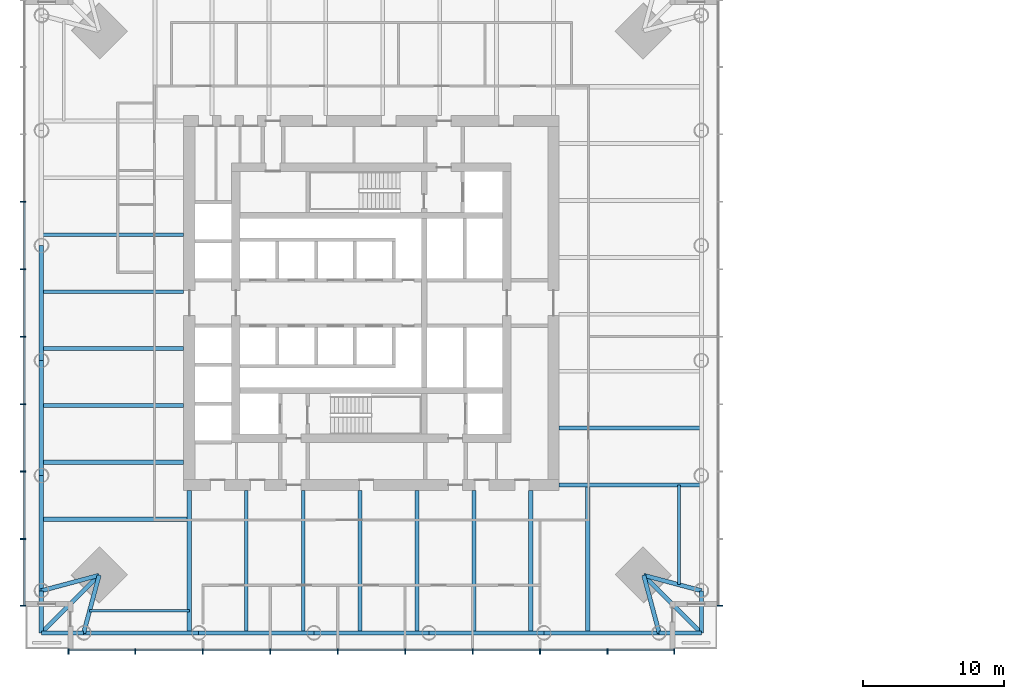
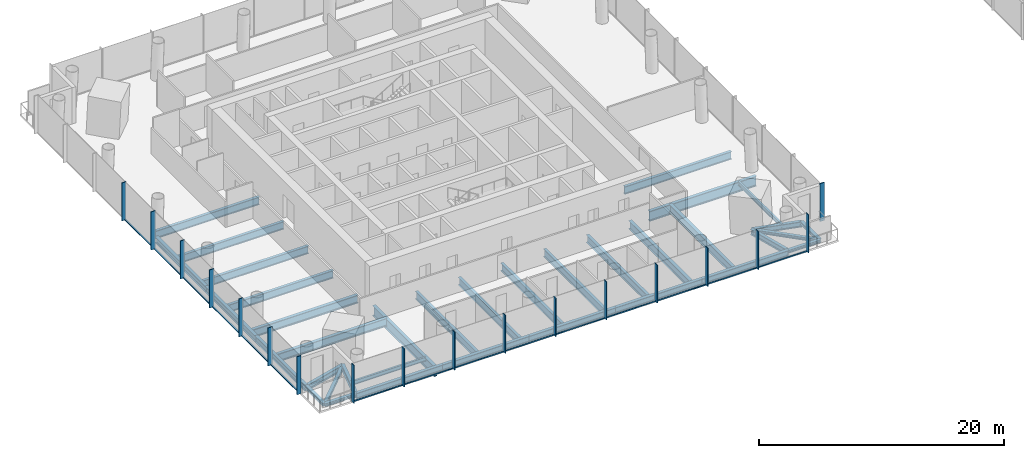
# One storey, part 2 of 22: 36 beams, 33 members, 3 elements without a shape of their own.
"""IFC4 building model written with IfcOpenShell, lengths in metres."""

import ifcopenshell
import ifcopenshell.guid

model = None  # the IFC model being written
_history = None  # IfcOwnerHistory: only IFC2X3 demands one
_inside = {}  # id of a spatial element -> (the spatial element, [elements in it])
_under = {}  # id of a project, library or spatial element -> (it, [spatial elements below it])
_declared = {}  # id of a project -> (the project, [libraries it declares])
_typed = {}  # id of a type object -> (the type object, [elements of that type])
_made_of = {}  # id of a material, layer set ... -> (it, [elements and type objects made of it])


def new_model(schema):
    """Start an empty IFC model of exactly this schema.

    Asked for "IFC4X3", IfcOpenShell would pick the latest addendum, in which some entities
    have other attributes; the version numbers below select the first issue.
    IFC2X3 requires an IfcOwnerHistory on every rooted entity: one is made here for all.
    """
    global model, _history
    if schema == "IFC4X3":
        model = ifcopenshell.file(schema_version=(4, 3, 0, 0))
    else:
        model = ifcopenshell.file(schema=schema)
    _inside.clear()
    _under.clear()
    _declared.clear()
    _typed.clear()
    _made_of.clear()
    _history = None
    if model.schema == "IFC2X3":
        org = make("IfcOrganization", Name="unknown")
        user = make(
            "IfcPersonAndOrganization",
            ThePerson=make("IfcPerson", FamilyName="unknown"),
            TheOrganization=org,
        )
        app = make(
            "IfcApplication",
            ApplicationDeveloper=org,
            Version="unknown",
            ApplicationFullName="unknown",
            ApplicationIdentifier="unknown",
        )
        _history = make(
            "IfcOwnerHistory",
            OwningUser=user,
            OwningApplication=app,
            ChangeAction="ADDED",
            CreationDate=0,
        )
    return model


def make(cls, **values):
    """One entity of the class cls with the attributes given. An attribute that is None is left unset."""
    return model.create_entity(
        cls, **{name: value for name, value in values.items() if value is not None}
    )


def rooted(cls, **values):
    """An entity with a GlobalId (a new one), such as an element, a storey or a relation."""
    return make(cls, GlobalId=ifcopenshell.guid.new(), OwnerHistory=_history, **values)


def si_unit(unit_type, name, prefix=None):
    """IfcSIUnit, for example si_unit("LENGTHUNIT", "METRE", prefix="MILLI")."""
    return make("IfcSIUnit", UnitType=unit_type, Prefix=prefix, Name=name)


def assignment(units):
    """IfcUnitAssignment: the units of a project."""
    return None if units is None else make("IfcUnitAssignment", Units=units)


def point(xyz):
    """IfcCartesianPoint."""
    return None if xyz is None else make("IfcCartesianPoint", Coordinates=xyz)


def direction(xyz):
    """IfcDirection."""
    return None if xyz is None else make("IfcDirection", DirectionRatios=xyz)


def frame(location, z_axis=None, x_axis=None):
    """IfcAxis2Placement3D, a coordinate frame: its origin and axes. An axis left out is left unset."""
    return make(
        "IfcAxis2Placement3D",
        Location=point(location),
        Axis=direction(z_axis),
        RefDirection=direction(x_axis),
    )


def frame_2d(location, x_axis=None):
    """IfcAxis2Placement2D, a coordinate frame in the plane: its origin and x axis."""
    return make(
        "IfcAxis2Placement2D", Location=point(location), RefDirection=direction(x_axis)
    )


def origin():
    """The frame at (0, 0, 0) with its axes left unset."""
    return frame((0.0, 0.0, 0.0))


def origin_2d():
    """The frame at (0, 0) in the plane with its x axis left unset."""
    return frame_2d((0.0, 0.0))


def place(relative_to, where):
    """IfcLocalPlacement: puts the frame where relative to a parent placement (None: the world)."""
    return make(
        "IfcLocalPlacement", PlacementRelTo=relative_to, RelativePlacement=where
    )


def context(
    kind, dimensions, precision=None, world=None, true_north=None, identifier=None
):
    """IfcGeometricRepresentationContext, for example the 3D "Model" context."""
    return make(
        "IfcGeometricRepresentationContext",
        ContextIdentifier=identifier,
        ContextType=kind,
        CoordinateSpaceDimension=dimensions,
        Precision=precision,
        WorldCoordinateSystem=world,
        TrueNorth=true_north,
    )


def subcontext(parent, identifier, kind, view, scale=None):
    """IfcGeometricRepresentationSubContext, for example "Body" below "Model"."""
    return make(
        "IfcGeometricRepresentationSubContext",
        ContextIdentifier=identifier,
        ContextType=kind,
        ParentContext=parent,
        TargetScale=scale,
        TargetView=view,
    )


def project(units=None, contexts=None):
    """IfcProject with its units and contexts."""
    return rooted(
        "IfcProject",
        Name="project",
        RepresentationContexts=contexts,
        UnitsInContext=assignment(units),
    )


def spatial(cls, under=None, at=None, **own):
    """A site, building, storey or space (cls), placed at a placement, below another one or the project."""
    s = rooted(cls, ObjectPlacement=at, **own)
    if under is not None:
        _under.setdefault(under.id(), (under, []))[1].append(s)
    return s


def profile(cls, at=None, kind="AREA", **sizes):
    """A parametric profile (cls). Its sizes go by their IFC names, for example OverallWidth=200.0."""
    return make(cls, ProfileType=kind, Position=at, **sizes)


def rectangle(**sizes):
    """IfcRectangleProfileDef."""
    return profile("IfcRectangleProfileDef", **sizes)


def i_section(**sizes):
    """IfcIShapeProfileDef."""
    return profile("IfcIShapeProfileDef", **sizes)


def extrude(swept, where, along, depth):
    """IfcExtrudedAreaSolid: the profile swept, set in the frame where, extruded along a direction by depth."""
    return make(
        "IfcExtrudedAreaSolid",
        SweptArea=swept,
        Position=where,
        ExtrudedDirection=direction(along),
        Depth=depth,
    )


def shape(context_of_items, identifier, shape_type, items):
    """IfcShapeRepresentation: the items that make up one representation, for example the "Body"."""
    return make(
        "IfcShapeRepresentation",
        ContextOfItems=context_of_items,
        RepresentationIdentifier=identifier,
        RepresentationType=shape_type,
        Items=items,
    )


def material(Name=None, Category=None):
    """IfcMaterial."""
    return make("IfcMaterial", Name=Name, Category=Category)


def material_profile(
    of_material, cross_section, Name=None, Category=None, Priority=None
):
    """IfcMaterialProfile: a cross section and its material."""
    return make(
        "IfcMaterialProfile",
        Name=Name,
        Material=of_material,
        Profile=cross_section,
        Priority=Priority,
        Category=Category,
    )


def profile_set(profiles, Name=None, composite=None):
    """IfcMaterialProfileSet."""
    return make(
        "IfcMaterialProfileSet",
        Name=Name,
        MaterialProfiles=profiles,
        CompositeProfile=composite,
    )


def made_of(thing, what):
    """Note that an element or type object is made of a material, layer set ...; save() writes the relation."""
    if what is not None:
        _made_of.setdefault(what.id(), (what, []))[1].append(thing)
    return thing


def type_object(cls, material=None, **own):
    """A type object (cls), such as IfcWallType, which elements share."""
    return made_of(rooted(cls, **own), material)


def element(
    cls,
    number,
    at=None,
    inside=None,
    cuts=None,
    type_object=None,
    material=None,
    context=None,
    identifier="Body",
    shape_type=None,
    held_by="IfcProductDefinitionShape",
    body=None,
    shapes=None,
    **own,
):
    """One element of the class cls, such as IfcWall. Its Tag is "e" and its number.

    at: its placement. inside: the storey or other place that contains it. cuts: it is an
    opening in that element (IfcRelVoidsElement). A single representation is given by context,
    identifier, shape_type and body (its items); several are given by shapes. held_by: the class
    of the entity that holds the representations. save() writes the other relations.
    """
    e = rooted(cls, Tag="e%d" % number, ObjectPlacement=at, **own)
    if body is not None:
        shapes = [shape(context, identifier, shape_type, body)]
    if shapes is not None:
        e.Representation = make(held_by, Representations=shapes)
    if inside is not None:
        _inside.setdefault(inside.id(), (inside, []))[1].append(e)
    if cuts is not None:
        rooted(
            "IfcRelVoidsElement", RelatingBuildingElement=cuts, RelatedOpeningElement=e
        )
    if type_object is not None:
        _typed.setdefault(type_object.id(), (type_object, []))[1].append(e)
    return made_of(e, material)


def aggregate(whole, parts):
    """IfcRelAggregates: a whole, such as a stair, and the parts it consists of."""
    return rooted("IfcRelAggregates", RelatingObject=whole, RelatedObjects=parts)


def save(model, path):
    """Write the relations noted so far, then the file.

    IfcRelAggregates (storeys below a building ...), IfcRelContainedInSpatialStructure (elements
    in a storey), IfcRelDefinesByType, IfcRelAssociatesMaterial and IfcRelDeclares: one each for
    every whole, place, type object, material and project.
    """
    for whole, parts in _under.values():
        aggregate(whole, parts)
    for where, things in _inside.values():
        rooted(
            "IfcRelContainedInSpatialStructure",
            RelatedElements=things,
            RelatingStructure=where,
        )
    for kind, things in _typed.values():
        rooted("IfcRelDefinesByType", RelatedObjects=things, RelatingType=kind)
    for what, things in _made_of.values():
        rooted("IfcRelAssociatesMaterial", RelatedObjects=things, RelatingMaterial=what)
    for by, libraries in _declared.values():
        rooted("IfcRelDeclares", RelatingContext=by, RelatedDefinitions=libraries)
    model.write(path)


model = new_model("IFC4")

# Units and contexts
model_context = context("Model", 3, precision=1e-05, world=origin(), true_north=direction((0.0, 1.0)))
body_context = subcontext(model_context, "Body", "Model", "MODEL_VIEW")
ifc_project = project(units=[si_unit("LENGTHUNIT", "METRE"), si_unit("AREAUNIT", "SQUARE_METRE"), si_unit("VOLUMEUNIT", "CUBIC_METRE"), si_unit("PLANEANGLEUNIT", "RADIAN"), si_unit("MASSUNIT", "GRAM", prefix="KILO")], contexts=[model_context])

# Site, building, storey
site_placement = place(None, origin())
site = spatial("IfcSite", under=ifc_project, at=site_placement, CompositionType="ELEMENT")
building_placement = place(site_placement, origin())
building = spatial("IfcBuilding", under=site, at=building_placement, Name="Ostroluk Exchange", CompositionType="ELEMENT")
storey_placement = place(building_placement, frame((0.0, 0.0, 40.0)))
storey = spatial("IfcBuildingStorey", under=building, at=storey_placement, Name="L09", CompositionType="ELEMENT", Elevation=40.0)

# Beams
ifc_material_1 = material(Name="Steel S355", Category="steel")
ifc_material_profile_1 = material_profile(ifc_material_1, i_section(OverallWidth=0.300048828125, OverallDepth=0.300048828125, WebThickness=0.010986328125, FlangeThickness=0.01904296875, FilletRadius=0.027099609375, at=origin_2d()), Name="HEB 300")
ifc_profile_set_1 = profile_set([ifc_material_profile_1], Name="Steel S355")
beam_type_1 = type_object("IfcBeamType", Name="Balcony beam HEB 300", PredefinedType="BEAM", material=ifc_profile_set_1)
for number, where, z_axis, x_axis, name in (
    (1, (21.607177734375, 25.607177734375, -0.330078125), (0.0, -1.0, 0.0), (1.0, 0.0, 0.0), "T1 west balcony beam a"),
    (2, (24.607177734375, 22.607177734375, -0.330078125), (-1.0, 0.0, 0.0), (0.0, -1.0, 0.0), "T1 west balcony beam b"),
):
    element("IfcBeam", number, at=place(storey_placement, frame(where, z_axis=z_axis, x_axis=x_axis)), inside=storey, type_object=beam_type_1, Name=name, PredefinedType="BEAM", context=body_context, shape_type="SweptSolid", body=[
        extrude(i_section(OverallWidth=0.300048828125, OverallDepth=0.300048828125, WebThickness=0.010986328125, FlangeThickness=0.01904296875, FilletRadius=0.027099609375, at=origin_2d()), origin(), (0.0, 0.0, 1.0), 3.0),
    ])
beam_1_placement = place(storey_placement, frame((25.70703125, 26.70703125, -0.330078125), z_axis=(-0.707106781187, -0.707106781187, 0.0), x_axis=(0.707106781187, -0.707106781187, 0.0)))
element("IfcBeam", 3, at=beam_1_placement, inside=storey, type_object=beam_type_1, Name="T1 west balcony beam c", PredefinedType="BEAM", context=body_context, shape_type="SweptSolid", body=[
    extrude(i_section(OverallWidth=0.300048828125, OverallDepth=0.300048828125, WebThickness=0.010986328125, FlangeThickness=0.01904296875, FilletRadius=0.027099609375, at=origin_2d()), origin(), (0.0, 0.0, 1.0), 5.798095703125),
])
for number, where, z_axis, x_axis, name in (
    (4, (65.392822265625, 22.607177734375, -0.330078125), (1.0, 0.0, 0.0), (0.0, 1.0, 0.0), "T1 south balcony beam a"),
    (5, (68.392822265625, 25.607177734375, -0.330078125), (0.0, -1.0, 0.0), (1.0, 0.0, 0.0), "T1 south balcony beam b"),
):
    element("IfcBeam", number, at=place(storey_placement, frame(where, z_axis=z_axis, x_axis=x_axis)), inside=storey, type_object=beam_type_1, Name=name, PredefinedType="BEAM", context=body_context, shape_type="SweptSolid", body=[
        extrude(i_section(OverallWidth=0.300048828125, OverallDepth=0.300048828125, WebThickness=0.010986328125, FlangeThickness=0.01904296875, FilletRadius=0.027099609375, at=origin_2d()), origin(), (0.0, 0.0, 1.0), 3.0),
    ])
beam_2_placement = place(storey_placement, frame((64.29296875, 26.70703125, -0.330078125), z_axis=(0.707106781187, -0.707106781187, 0.0), x_axis=(0.707106781187, 0.707106781187, 0.0)))
element("IfcBeam", 6, at=beam_2_placement, inside=storey, type_object=beam_type_1, Name="T1 south balcony beam c", PredefinedType="BEAM", context=body_context, shape_type="SweptSolid", body=[
    extrude(i_section(OverallWidth=0.300048828125, OverallDepth=0.300048828125, WebThickness=0.010986328125, FlangeThickness=0.01904296875, FilletRadius=0.027099609375, at=origin_2d()), origin(), (0.0, 0.0, 1.0), 5.798095703125),
])
ifc_material_2 = material(Name="Steel S355", Category="steel")
ifc_material_profile_2 = material_profile(ifc_material_2, i_section(OverallWidth=0.300048828125, OverallDepth=0.550048828125, WebThickness=0.014892578125, FlangeThickness=0.029052734375, FilletRadius=0.027099609375, at=origin_2d()), Name="HEB 550")
ifc_profile_set_2 = profile_set([ifc_material_profile_2], Name="Steel S355")
beam_type_2 = type_object("IfcBeamType", Name="Corner edge beam HEB 550", PredefinedType="SPANDREL", material=ifc_profile_set_2)
for number, where, z_axis, x_axis, name in (
    (7, (25.70703125, 26.70703125, -0.455078125), (-0.965849156574, -0.259105011038, 0.0), (0.259105011038, -0.965849156574, 0.0), "T1 west corner edge beam a"),
    (8, (25.70703125, 26.70703125, -0.455078125), (-0.259105011038, -0.965849156574, 0.0), (0.965849156574, -0.259105011038, 0.0), "T1 west corner edge beam b"),
    (9, (64.29296875, 26.70703125, -0.455078125), (0.259105011038, -0.965849156574, 0.0), (0.965849156574, 0.259105011038, 0.0), "T1 south corner edge beam a"),
    (10, (64.29296875, 26.70703125, -0.455078125), (0.965849156574, -0.259105011038, 0.0), (0.259105011038, 0.965849156574, 0.0), "T1 south corner edge beam b"),
):
    element("IfcBeam", number, at=place(storey_placement, frame(where, z_axis=z_axis, x_axis=x_axis)), inside=storey, type_object=beam_type_2, Name=name, PredefinedType="SPANDREL", context=body_context, shape_type="SweptSolid", body=[
        extrude(i_section(OverallWidth=0.300048828125, OverallDepth=0.550048828125, WebThickness=0.014892578125, FlangeThickness=0.029052734375, FilletRadius=0.027099609375, at=origin_2d()), origin(), (0.0, 0.0, 1.0), 4.244873046875),
    ])
ifc_material_3 = material(Name="Steel S355", Category="steel")
ifc_material_profile_3 = material_profile(ifc_material_3, i_section(OverallWidth=0.302978515625, OverallDepth=0.81396484375, WebThickness=0.02099609375, FlangeThickness=0.0400390625, FilletRadius=0.030029296875, at=origin_2d()), Name="HEM 800")
ifc_profile_set_3 = profile_set([ifc_material_profile_3], Name="Steel S355")
beam_type_3 = type_object("IfcBeamType", Name="Floor beam HEM 800", PredefinedType="BEAM", material=ifc_profile_set_3)
beam_3_placement = place(storey_placement, frame((31.699951171875, 34.704833984375, -0.5869140625), z_axis=(-1.0, 0.0, 0.0), x_axis=(0.0, -1.0, 0.0)))
element("IfcBeam", 11, at=beam_3_placement, inside=storey, type_object=beam_type_3, Name="T1 west floor beam 6", PredefinedType="BEAM", context=body_context, shape_type="SweptSolid", body=[
    extrude(i_section(OverallWidth=0.302978515625, OverallDepth=0.81396484375, WebThickness=0.02099609375, FlangeThickness=0.0400390625, FilletRadius=0.030029296875, at=origin_2d()), origin(), (0.0, 0.0, 1.0), 10.0927734375),
])
beam_4_placement = place(storey_placement, frame((32.10009765625, 30.672119140625, -0.5869140625), z_axis=(-1.0, 0.0, 0.0), x_axis=(0.0, -1.0, 0.0)))
element("IfcBeam", 12, at=beam_4_placement, inside=storey, type_object=beam_type_3, Name="T1 west floor beam 7", PredefinedType="BEAM", context=body_context, shape_type="SweptSolid", body=[
    extrude(i_section(OverallWidth=0.302978515625, OverallDepth=0.81396484375, WebThickness=0.02099609375, FlangeThickness=0.0400390625, FilletRadius=0.030029296875, at=origin_2d()), origin(), (0.0, 0.0, 1.0), 10.492919921875),
])
beam_5_placement = place(storey_placement, frame((56.295166015625, 32.699951171875, -0.5869140625), z_axis=(0.0, -1.0, 0.0), x_axis=(1.0, 0.0, 0.0)))
element("IfcBeam", 13, at=beam_5_placement, inside=storey, type_object=beam_type_3, Name="T1 south floor beam 6", PredefinedType="BEAM", context=body_context, shape_type="SweptSolid", body=[
    extrude(i_section(OverallWidth=0.302978515625, OverallDepth=0.81396484375, WebThickness=0.02099609375, FlangeThickness=0.0400390625, FilletRadius=0.030029296875, at=origin_2d()), origin(), (0.0, 0.0, 1.0), 10.0927734375),
])
beam_6_placement = place(storey_placement, frame((60.327880859375, 33.10009765625, -0.5869140625), z_axis=(0.0, -1.0, 0.0), x_axis=(1.0, 0.0, 0.0)))
element("IfcBeam", 14, at=beam_6_placement, inside=storey, type_object=beam_type_3, Name="T1 south floor beam 7", PredefinedType="BEAM", context=body_context, shape_type="SweptSolid", body=[
    extrude(i_section(OverallWidth=0.302978515625, OverallDepth=0.81396484375, WebThickness=0.02099609375, FlangeThickness=0.0400390625, FilletRadius=0.030029296875, at=origin_2d()), origin(), (0.0, 0.0, 1.0), 10.492919921875),
])
ifc_material_4 = material(Name="Steel S355", Category="steel")
ifc_material_profile_4 = material_profile(ifc_material_4, i_section(OverallWidth=0.179931640625, OverallDepth=0.39990234375, WebThickness=0.008544921875, FlangeThickness=0.013427734375, FilletRadius=0.02099609375, at=origin_2d()), Name="IPE 400")
ifc_profile_set_4 = profile_set([ifc_material_profile_4], Name="Steel S355")
beam_type_4 = type_object("IfcBeamType", Name="Floor beam IPE 400", PredefinedType="BEAM", material=ifc_profile_set_4)
for number, where, z_axis, x_axis, name in (
    (15, (32.10009765625, 24.20703125, -0.3798828125), (-1.0, 0.0, 0.0), (0.0, -1.0, 0.0), "T1 west floor beam 8"),
    (16, (66.79296875, 33.10009765625, -0.3798828125), (0.0, -1.0, 0.0), (1.0, 0.0, 0.0), "T1 south floor beam 8"),
):
    element("IfcBeam", number, at=place(storey_placement, frame(where, z_axis=z_axis, x_axis=x_axis)), inside=storey, type_object=beam_type_4, Name=name, PredefinedType="BEAM", context=body_context, shape_type="SweptSolid", body=[
        extrude(i_section(OverallWidth=0.179931640625, OverallDepth=0.39990234375, WebThickness=0.008544921875, FlangeThickness=0.013427734375, FilletRadius=0.02099609375, at=origin_2d()), origin(), (0.0, 0.0, 1.0), 7.063720703125),
    ])
ifc_material_5 = material(Name="Steel S355", Category="steel")
ifc_material_profile_5 = material_profile(ifc_material_5, i_section(OverallWidth=0.26806640625, OverallDepth=0.77001953125, WebThickness=0.015625, FlangeThickness=0.025390625, FilletRadius=0.01708984375, at=origin_2d()), Name="IPE 750x196")
ifc_profile_set_5 = profile_set([ifc_material_profile_5], Name="Steel S355")
beam_type_5 = type_object("IfcBeamType", Name="Floor beam IPE 750x196", PredefinedType="BEAM", material=ifc_profile_set_5)
for number, where, z_axis, x_axis, name in (
    (17, (58.300048828125, 37.132568359375, -0.56494140625), (1.0, 0.0, 0.0), (0.0, 1.0, 0.0), "T1 east floor beam 1"),
    (18, (31.699951171875, 50.8349609375, -0.56494140625), (-1.0, 0.0, 0.0), (0.0, -1.0, 0.0), "T1 west floor beam 2"),
    (19, (31.699951171875, 46.802490234375, -0.56494140625), (-1.0, 0.0, 0.0), (0.0, -1.0, 0.0), "T1 west floor beam 3"),
    (20, (31.699951171875, 42.769775390625, -0.56494140625), (-1.0, 0.0, 0.0), (0.0, -1.0, 0.0), "T1 west floor beam 4"),
    (21, (31.699951171875, 38.7373046875, -0.56494140625), (-1.0, 0.0, 0.0), (0.0, -1.0, 0.0), "T1 west floor beam 5"),
    (22, (36.132568359375, 32.699951171875, -0.56494140625), (0.0, -1.0, 0.0), (1.0, 0.0, 0.0), "T1 south floor beam 1"),
    (23, (40.1650390625, 32.699951171875, -0.56494140625), (0.0, -1.0, 0.0), (1.0, 0.0, 0.0), "T1 south floor beam 2"),
    (24, (44.197509765625, 32.699951171875, -0.56494140625), (0.0, -1.0, 0.0), (1.0, 0.0, 0.0), "T1 south floor beam 3"),
    (25, (48.230224609375, 32.699951171875, -0.56494140625), (0.0, -1.0, 0.0), (1.0, 0.0, 0.0), "T1 south floor beam 4"),
    (26, (52.2626953125, 32.699951171875, -0.56494140625), (0.0, -1.0, 0.0), (1.0, 0.0, 0.0), "T1 south floor beam 5"),
):
    element("IfcBeam", number, at=place(storey_placement, frame(where, z_axis=z_axis, x_axis=x_axis)), inside=storey, type_object=beam_type_5, Name=name, PredefinedType="BEAM", context=body_context, shape_type="SweptSolid", body=[
        extrude(i_section(OverallWidth=0.26806640625, OverallDepth=0.77001953125, WebThickness=0.015625, FlangeThickness=0.025390625, FilletRadius=0.01708984375, at=origin_2d()), origin(), (0.0, 0.0, 1.0), 10.0927734375),
    ])
ifc_material_6 = material(Name="Steel S355", Category="steel")
ifc_material_profile_6 = material_profile(ifc_material_6, i_section(OverallWidth=0.302001953125, OverallDepth=1.008056640625, WebThickness=0.02099609375, FlangeThickness=0.0400390625, FilletRadius=0.030029296875, at=origin_2d()), Name="HEM 1000")
ifc_profile_set_6 = profile_set([ifc_material_profile_6], Name="Steel S355")
beam_type_6 = type_object("IfcBeamType", Name="Girder HEM 1000", PredefinedType="BEAM", material=ifc_profile_set_6)
for number, where, z_axis, x_axis, name in (
    (27, (32.10009765625, 32.699951171875, -0.68408203125), (0.0, -1.0, 0.0), (1.0, 0.0, 0.0), "T1 west girder"),
    (28, (58.300048828125, 33.10009765625, -0.68408203125), (1.0, 0.0, 0.0), (0.0, 1.0, 0.0), "T1 south girder"),
):
    element("IfcBeam", number, at=place(storey_placement, frame(where, z_axis=z_axis, x_axis=x_axis)), inside=storey, type_object=beam_type_6, Name=name, PredefinedType="BEAM", context=body_context, shape_type="SweptSolid", body=[
        extrude(i_section(OverallWidth=0.302001953125, OverallDepth=1.008056640625, WebThickness=0.02099609375, FlangeThickness=0.0400390625, FilletRadius=0.030029296875, at=origin_2d()), origin(), (0.0, 0.0, 1.0), 10.0927734375),
    ])
ifc_material_7 = material(Name="Steel S355", Category="steel")
ifc_material_profile_7 = material_profile(ifc_material_7, i_section(OverallWidth=0.300048828125, OverallDepth=0.60009765625, WebThickness=0.015380859375, FlangeThickness=0.030029296875, FilletRadius=0.027099609375, at=origin_2d()), Name="HEB 600")
ifc_profile_set_7 = profile_set([ifc_material_profile_7], Name="Steel S355")
beam_type_7 = type_object("IfcBeamType", Name="Moment-connected edge beam HEB 600", PredefinedType="SPANDREL", material=ifc_profile_set_7)
beam_7_placement = place(storey_placement, frame((21.607177734375, 50.07861328125, -0.47998046875), z_axis=(0.0, -1.0, 0.0), x_axis=(1.0, 0.0, 0.0)))
element("IfcBeam", 29, at=beam_7_placement, inside=storey, type_object=beam_type_7, Name="T1 west edge beam 3", PredefinedType="SPANDREL", context=body_context, shape_type="SweptSolid", body=[
    extrude(i_section(OverallWidth=0.300048828125, OverallDepth=0.60009765625, WebThickness=0.015380859375, FlangeThickness=0.030029296875, FilletRadius=0.027099609375, at=origin_2d()), origin(), (0.0, 0.0, 1.0), 8.1572265625),
])
beam_8_placement = place(storey_placement, frame((21.607177734375, 41.92138671875, -0.47998046875), z_axis=(0.0, -1.0, 0.0), x_axis=(1.0, 0.0, 0.0)))
element("IfcBeam", 30, at=beam_8_placement, inside=storey, type_object=beam_type_7, Name="T1 west edge beam 4", PredefinedType="SPANDREL", context=body_context, shape_type="SweptSolid", body=[
    extrude(i_section(OverallWidth=0.300048828125, OverallDepth=0.60009765625, WebThickness=0.015380859375, FlangeThickness=0.030029296875, FilletRadius=0.027099609375, at=origin_2d()), origin(), (0.0, 0.0, 1.0), 8.156982421875),
])
for number, where, z_axis, x_axis, name in (
    (31, (21.607177734375, 33.764404296875, -0.47998046875), (0.0, -1.0, 0.0), (1.0, 0.0, 0.0), "T1 west edge beam 5"),
    (32, (24.607177734375, 22.607177734375, -0.47998046875), (1.0, 0.0, 0.0), (0.0, 1.0, 0.0), "T1 south edge beam 1"),
):
    element("IfcBeam", number, at=place(storey_placement, frame(where, z_axis=z_axis, x_axis=x_axis)), inside=storey, type_object=beam_type_7, Name=name, PredefinedType="SPANDREL", context=body_context, shape_type="SweptSolid", body=[
        extrude(i_section(OverallWidth=0.300048828125, OverallDepth=0.60009765625, WebThickness=0.015380859375, FlangeThickness=0.030029296875, FilletRadius=0.027099609375, at=origin_2d()), origin(), (0.0, 0.0, 1.0), 8.1572265625),
    ])
beam_9_placement = place(storey_placement, frame((32.764404296875, 22.607177734375, -0.47998046875), z_axis=(1.0, 0.0, 0.0), x_axis=(0.0, 1.0, 0.0)))
element("IfcBeam", 33, at=beam_9_placement, inside=storey, type_object=beam_type_7, Name="T1 south edge beam 2", PredefinedType="SPANDREL", context=body_context, shape_type="SweptSolid", body=[
    extrude(i_section(OverallWidth=0.300048828125, OverallDepth=0.60009765625, WebThickness=0.015380859375, FlangeThickness=0.030029296875, FilletRadius=0.027099609375, at=origin_2d()), origin(), (0.0, 0.0, 1.0), 8.156982421875),
])
beam_10_placement = place(storey_placement, frame((40.92138671875, 22.607177734375, -0.47998046875), z_axis=(1.0, 0.0, 0.0), x_axis=(0.0, 1.0, 0.0)))
element("IfcBeam", 34, at=beam_10_placement, inside=storey, type_object=beam_type_7, Name="T1 south edge beam 3", PredefinedType="SPANDREL", context=body_context, shape_type="SweptSolid", body=[
    extrude(i_section(OverallWidth=0.300048828125, OverallDepth=0.60009765625, WebThickness=0.015380859375, FlangeThickness=0.030029296875, FilletRadius=0.027099609375, at=origin_2d()), origin(), (0.0, 0.0, 1.0), 8.1572265625),
])
beam_11_placement = place(storey_placement, frame((49.07861328125, 22.607177734375, -0.47998046875), z_axis=(1.0, 0.0, 0.0), x_axis=(0.0, 1.0, 0.0)))
element("IfcBeam", 35, at=beam_11_placement, inside=storey, type_object=beam_type_7, Name="T1 south edge beam 4", PredefinedType="SPANDREL", context=body_context, shape_type="SweptSolid", body=[
    extrude(i_section(OverallWidth=0.300048828125, OverallDepth=0.60009765625, WebThickness=0.015380859375, FlangeThickness=0.030029296875, FilletRadius=0.027099609375, at=origin_2d()), origin(), (0.0, 0.0, 1.0), 8.156982421875),
])
beam_12_placement = place(storey_placement, frame((57.235595703125, 22.607177734375, -0.47998046875), z_axis=(1.0, 0.0, 0.0), x_axis=(0.0, 1.0, 0.0)))
element("IfcBeam", 36, at=beam_12_placement, inside=storey, type_object=beam_type_7, Name="T1 south edge beam 5", PredefinedType="SPANDREL", context=body_context, shape_type="SweptSolid", body=[
    extrude(i_section(OverallWidth=0.300048828125, OverallDepth=0.60009765625, WebThickness=0.015380859375, FlangeThickness=0.030029296875, FilletRadius=0.027099609375, at=origin_2d()), origin(), (0.0, 0.0, 1.0), 8.1572265625),
])

# Curtain wall, members
ifc_material_8 = material(Name="Laminated clear glass", Category="glass")
curtain_wall_type = type_object("IfcCurtainWallType", Name="Office tower facade", PredefinedType="USERDEFINED", material=ifc_material_8)
curtain_wall_1_placement = place(storey_placement, origin())
curtain_wall_1 = element("IfcCurtainWall", 37, at=curtain_wall_1_placement, inside=storey, type_object=curtain_wall_type, Name="Office tower south facade L09", ObjectType="UNITISED CURTAIN WALL", PredefinedType="USERDEFINED")
ifc_material_9 = material(Name="Aluminium mullion", Category="aluminium")
ifc_material_profile_8 = material_profile(ifc_material_9, rectangle(XDim=0.14990234375, YDim=0.080078125, at=origin_2d()), Name="Sill transom 80 x 150")
ifc_profile_set_8 = profile_set([ifc_material_profile_8], Name="Aluminium mullion")
member_type_1 = type_object("IfcMemberType", Name="Sill transom 80 x 150", PredefinedType="USERDEFINED", material=ifc_profile_set_8)
member_1_placement = place(storey_placement, frame((23.580078125, 21.425048828125, 0.0400390625), z_axis=(1.0, 0.0, 0.0), x_axis=(0.0, 1.0, 0.0)))
member_1 = element("IfcMember", 38, at=member_1_placement, type_object=member_type_1, Name="CW-O1 transom 1.1", ObjectType="TRANSOM", PredefinedType="USERDEFINED", context=body_context, shape_type="SweptSolid", body=[
    extrude(rectangle(XDim=0.14990234375, YDim=0.080078125, at=origin_2d()), origin(), (0.0, 0.0, 1.0), 4.65771484375),
])
member_2_placement = place(storey_placement, frame((28.31787109375, 21.425048828125, 0.0400390625), z_axis=(1.0, 0.0, 0.0), x_axis=(0.0, 1.0, 0.0)))
member_2 = element("IfcMember", 39, at=member_2_placement, type_object=member_type_1, Name="CW-O1 transom 2.1", ObjectType="TRANSOM", PredefinedType="USERDEFINED", context=body_context, shape_type="SweptSolid", body=[
    extrude(rectangle(XDim=0.14990234375, YDim=0.080078125, at=origin_2d()), origin(), (0.0, 0.0, 1.0), 4.69775390625),
])
member_3_placement = place(storey_placement, frame((33.095458984375, 21.425048828125, 0.0400390625), z_axis=(1.0, 0.0, 0.0), x_axis=(0.0, 1.0, 0.0)))
member_3 = element("IfcMember", 40, at=member_3_placement, type_object=member_type_1, Name="CW-O1 transom 3.1", ObjectType="TRANSOM", PredefinedType="USERDEFINED", context=body_context, shape_type="SweptSolid", body=[
    extrude(rectangle(XDim=0.14990234375, YDim=0.080078125, at=origin_2d()), origin(), (0.0, 0.0, 1.0), 4.69775390625),
])
member_4_placement = place(storey_placement, frame((37.873291015625, 21.425048828125, 0.0400390625), z_axis=(1.0, 0.0, 0.0), x_axis=(0.0, 1.0, 0.0)))
member_4 = element("IfcMember", 41, at=member_4_placement, type_object=member_type_1, Name="CW-O1 transom 4.1", ObjectType="TRANSOM", PredefinedType="USERDEFINED", context=body_context, shape_type="SweptSolid", body=[
    extrude(rectangle(XDim=0.14990234375, YDim=0.080078125, at=origin_2d()), origin(), (0.0, 0.0, 1.0), 4.69775390625),
])
member_5_placement = place(storey_placement, frame((42.651123046875, 21.425048828125, 0.0400390625), z_axis=(1.0, 0.0, 0.0), x_axis=(0.0, 1.0, 0.0)))
member_5 = element("IfcMember", 42, at=member_5_placement, type_object=member_type_1, Name="CW-O1 transom 5.1", ObjectType="TRANSOM", PredefinedType="USERDEFINED", context=body_context, shape_type="SweptSolid", body=[
    extrude(rectangle(XDim=0.14990234375, YDim=0.080078125, at=origin_2d()), origin(), (0.0, 0.0, 1.0), 4.69775390625),
])
member_6_placement = place(storey_placement, frame((47.428955078125, 21.425048828125, 0.0400390625), z_axis=(1.0, 0.0, 0.0), x_axis=(0.0, 1.0, 0.0)))
member_6 = element("IfcMember", 43, at=member_6_placement, type_object=member_type_1, Name="CW-O1 transom 6.1", ObjectType="TRANSOM", PredefinedType="USERDEFINED", context=body_context, shape_type="SweptSolid", body=[
    extrude(rectangle(XDim=0.14990234375, YDim=0.080078125, at=origin_2d()), origin(), (0.0, 0.0, 1.0), 4.69775390625),
])
member_7_placement = place(storey_placement, frame((52.206787109375, 21.425048828125, 0.0400390625), z_axis=(1.0, 0.0, 0.0), x_axis=(0.0, 1.0, 0.0)))
member_7 = element("IfcMember", 44, at=member_7_placement, type_object=member_type_1, Name="CW-O1 transom 7.1", ObjectType="TRANSOM", PredefinedType="USERDEFINED", context=body_context, shape_type="SweptSolid", body=[
    extrude(rectangle(XDim=0.14990234375, YDim=0.080078125, at=origin_2d()), origin(), (0.0, 0.0, 1.0), 4.69775390625),
])
member_8_placement = place(storey_placement, frame((56.984375, 21.425048828125, 0.0400390625), z_axis=(1.0, 0.0, 0.0), x_axis=(0.0, 1.0, 0.0)))
member_8 = element("IfcMember", 45, at=member_8_placement, type_object=member_type_1, Name="CW-O1 transom 8.1", ObjectType="TRANSOM", PredefinedType="USERDEFINED", context=body_context, shape_type="SweptSolid", body=[
    extrude(rectangle(XDim=0.14990234375, YDim=0.080078125, at=origin_2d()), origin(), (0.0, 0.0, 1.0), 4.69775390625),
])
member_9_placement = place(storey_placement, frame((61.76220703125, 21.425048828125, 0.0400390625), z_axis=(1.0, 0.0, 0.0), x_axis=(0.0, 1.0, 0.0)))
member_9 = element("IfcMember", 46, at=member_9_placement, type_object=member_type_1, Name="CW-O1 transom 9.1", ObjectType="TRANSOM", PredefinedType="USERDEFINED", context=body_context, shape_type="SweptSolid", body=[
    extrude(rectangle(XDim=0.14990234375, YDim=0.080078125, at=origin_2d()), origin(), (0.0, 0.0, 1.0), 4.65771484375),
])

curtain_wall_2_placement = place(storey_placement, origin())
curtain_wall_2 = element("IfcCurtainWall", 47, at=curtain_wall_2_placement, inside=storey, type_object=curtain_wall_type, Name="Office tower west facade L09", ObjectType="UNITISED CURTAIN WALL", PredefinedType="USERDEFINED")
member_10_placement = place(storey_placement, frame((20.425048828125, 53.126708984375, 0.0400390625), z_axis=(0.0, -1.0, 0.0), x_axis=(1.0, 0.0, 0.0)))
member_10 = element("IfcMember", 48, at=member_10_placement, type_object=member_type_1, Name="CW-O1 transom 4.1", ObjectType="TRANSOM", PredefinedType="USERDEFINED", context=body_context, shape_type="SweptSolid", body=[
    extrude(rectangle(XDim=0.14990234375, YDim=0.080078125, at=origin_2d()), origin(), (0.0, 0.0, 1.0), 4.69775390625),
])
member_11_placement = place(storey_placement, frame((20.425048828125, 48.348876953125, 0.0400390625), z_axis=(0.0, -1.0, 0.0), x_axis=(1.0, 0.0, 0.0)))
member_11 = element("IfcMember", 49, at=member_11_placement, type_object=member_type_1, Name="CW-O1 transom 5.1", ObjectType="TRANSOM", PredefinedType="USERDEFINED", context=body_context, shape_type="SweptSolid", body=[
    extrude(rectangle(XDim=0.14990234375, YDim=0.080078125, at=origin_2d()), origin(), (0.0, 0.0, 1.0), 4.69775390625),
])
member_12_placement = place(storey_placement, frame((20.425048828125, 43.571044921875, 0.0400390625), z_axis=(0.0, -1.0, 0.0), x_axis=(1.0, 0.0, 0.0)))
member_12 = element("IfcMember", 50, at=member_12_placement, type_object=member_type_1, Name="CW-O1 transom 6.1", ObjectType="TRANSOM", PredefinedType="USERDEFINED", context=body_context, shape_type="SweptSolid", body=[
    extrude(rectangle(XDim=0.14990234375, YDim=0.080078125, at=origin_2d()), origin(), (0.0, 0.0, 1.0), 4.69775390625),
])
member_13_placement = place(storey_placement, frame((20.425048828125, 38.793212890625, 0.0400390625), z_axis=(0.0, -1.0, 0.0), x_axis=(1.0, 0.0, 0.0)))
member_13 = element("IfcMember", 51, at=member_13_placement, type_object=member_type_1, Name="CW-O1 transom 7.1", ObjectType="TRANSOM", PredefinedType="USERDEFINED", context=body_context, shape_type="SweptSolid", body=[
    extrude(rectangle(XDim=0.14990234375, YDim=0.080078125, at=origin_2d()), origin(), (0.0, 0.0, 1.0), 4.69775390625),
])
member_14_placement = place(storey_placement, frame((20.425048828125, 34.015625, 0.0400390625), z_axis=(0.0, -1.0, 0.0), x_axis=(1.0, 0.0, 0.0)))
member_14 = element("IfcMember", 52, at=member_14_placement, type_object=member_type_1, Name="CW-O1 transom 8.1", ObjectType="TRANSOM", PredefinedType="USERDEFINED", context=body_context, shape_type="SweptSolid", body=[
    extrude(rectangle(XDim=0.14990234375, YDim=0.080078125, at=origin_2d()), origin(), (0.0, 0.0, 1.0), 4.69775390625),
])
member_15_placement = place(storey_placement, frame((20.425048828125, 29.23779296875, 0.0400390625), z_axis=(0.0, -1.0, 0.0), x_axis=(1.0, 0.0, 0.0)))
member_15 = element("IfcMember", 53, at=member_15_placement, type_object=member_type_1, Name="CW-O1 transom 9.1", ObjectType="TRANSOM", PredefinedType="USERDEFINED", context=body_context, shape_type="SweptSolid", body=[
    extrude(rectangle(XDim=0.14990234375, YDim=0.080078125, at=origin_2d()), origin(), (0.0, 0.0, 1.0), 4.65771484375),
])

# Member
ifc_material_10 = material(Name="Aluminium mullion with limestone facing", Category="masonry")
ifc_material_profile_9 = material_profile(ifc_material_10, rectangle(XDim=0.39990234375, YDim=0.080078125, at=origin_2d()), Name="Tracery mullion 80 x 400")
ifc_profile_set_9 = profile_set([ifc_material_profile_9], Name="Aluminium mullion with limestone facing")
member_type_2 = type_object("IfcMemberType", Name="Tracery mullion 80 x 400", PredefinedType="MULLION", material=ifc_profile_set_9)
member_16_placement = place(storey_placement, frame((23.5400390625, 21.300048828125, 0.0), z_axis=(0.0, 0.0, 1.0), x_axis=(0.0, 1.0, 0.0)))
member_16 = element("IfcMember", 54, at=member_16_placement, type_object=member_type_2, Name="CW-O1 mullion 1", PredefinedType="MULLION", context=body_context, shape_type="SweptSolid", body=[
    extrude(rectangle(XDim=0.39990234375, YDim=0.080078125, at=origin_2d()), origin(), (0.0, 0.0, 1.0), 3.800048828125),
])

member_17_placement = place(storey_placement, frame((28.27783203125, 21.300048828125, 0.0), z_axis=(0.0, 0.0, 1.0), x_axis=(0.0, 1.0, 0.0)))
member_17 = element("IfcMember", 55, at=member_17_placement, type_object=member_type_2, Name="CW-O1 mullion 2", PredefinedType="MULLION", context=body_context, shape_type="SweptSolid", body=[
    extrude(rectangle(XDim=0.39990234375, YDim=0.080078125, at=origin_2d()), origin(), (0.0, 0.0, 1.0), 3.800048828125),
])

member_18_placement = place(storey_placement, frame((33.0556640625, 21.300048828125, 0.0), z_axis=(0.0, 0.0, 1.0), x_axis=(0.0, 1.0, 0.0)))
member_18 = element("IfcMember", 56, at=member_18_placement, type_object=member_type_2, Name="CW-O1 mullion 3", PredefinedType="MULLION", context=body_context, shape_type="SweptSolid", body=[
    extrude(rectangle(XDim=0.39990234375, YDim=0.080078125, at=origin_2d()), origin(), (0.0, 0.0, 1.0), 3.800048828125),
])

member_19_placement = place(storey_placement, frame((37.833251953125, 21.300048828125, 0.0), z_axis=(0.0, 0.0, 1.0), x_axis=(0.0, 1.0, 0.0)))
member_19 = element("IfcMember", 57, at=member_19_placement, type_object=member_type_2, Name="CW-O1 mullion 4", PredefinedType="MULLION", context=body_context, shape_type="SweptSolid", body=[
    extrude(rectangle(XDim=0.39990234375, YDim=0.080078125, at=origin_2d()), origin(), (0.0, 0.0, 1.0), 3.800048828125),
])

member_20_placement = place(storey_placement, frame((42.611083984375, 21.300048828125, 0.0), z_axis=(0.0, 0.0, 1.0), x_axis=(0.0, 1.0, 0.0)))
member_20 = element("IfcMember", 58, at=member_20_placement, type_object=member_type_2, Name="CW-O1 mullion 5", PredefinedType="MULLION", context=body_context, shape_type="SweptSolid", body=[
    extrude(rectangle(XDim=0.39990234375, YDim=0.080078125, at=origin_2d()), origin(), (0.0, 0.0, 1.0), 3.800048828125),
])

member_21_placement = place(storey_placement, frame((47.388916015625, 21.300048828125, 0.0), z_axis=(0.0, 0.0, 1.0), x_axis=(0.0, 1.0, 0.0)))
member_21 = element("IfcMember", 59, at=member_21_placement, type_object=member_type_2, Name="CW-O1 mullion 6", PredefinedType="MULLION", context=body_context, shape_type="SweptSolid", body=[
    extrude(rectangle(XDim=0.39990234375, YDim=0.080078125, at=origin_2d()), origin(), (0.0, 0.0, 1.0), 3.800048828125),
])

member_22_placement = place(storey_placement, frame((52.166748046875, 21.300048828125, 0.0), z_axis=(0.0, 0.0, 1.0), x_axis=(0.0, 1.0, 0.0)))
member_22 = element("IfcMember", 60, at=member_22_placement, type_object=member_type_2, Name="CW-O1 mullion 7", PredefinedType="MULLION", context=body_context, shape_type="SweptSolid", body=[
    extrude(rectangle(XDim=0.39990234375, YDim=0.080078125, at=origin_2d()), origin(), (0.0, 0.0, 1.0), 3.800048828125),
])

member_23_placement = place(storey_placement, frame((56.9443359375, 21.300048828125, 0.0), z_axis=(0.0, 0.0, 1.0), x_axis=(0.0, 1.0, 0.0)))
member_23 = element("IfcMember", 61, at=member_23_placement, type_object=member_type_2, Name="CW-O1 mullion 8", PredefinedType="MULLION", context=body_context, shape_type="SweptSolid", body=[
    extrude(rectangle(XDim=0.39990234375, YDim=0.080078125, at=origin_2d()), origin(), (0.0, 0.0, 1.0), 3.800048828125),
])

member_24_placement = place(storey_placement, frame((61.72216796875, 21.300048828125, 0.0), z_axis=(0.0, 0.0, 1.0), x_axis=(0.0, 1.0, 0.0)))
member_24 = element("IfcMember", 62, at=member_24_placement, type_object=member_type_2, Name="CW-O1 mullion 9", PredefinedType="MULLION", context=body_context, shape_type="SweptSolid", body=[
    extrude(rectangle(XDim=0.39990234375, YDim=0.080078125, at=origin_2d()), origin(), (0.0, 0.0, 1.0), 3.800048828125),
])

member_25_placement = place(storey_placement, frame((66.4599609375, 21.300048828125, 0.0), z_axis=(0.0, 0.0, 1.0), x_axis=(0.0, 1.0, 0.0)))
member_25 = element("IfcMember", 63, at=member_25_placement, type_object=member_type_2, Name="CW-O1 mullion 10", PredefinedType="MULLION", context=body_context, shape_type="SweptSolid", body=[
    extrude(rectangle(XDim=0.39990234375, YDim=0.080078125, at=origin_2d()), origin(), (0.0, 0.0, 1.0), 3.800048828125),
])

aggregate(curtain_wall_1, [member_16, member_17, member_18, member_19, member_20, member_21, member_22, member_23, member_24, member_25, member_1, member_2, member_3, member_4, member_5, member_6, member_7, member_8, member_9])

# Curtain wall, member
curtain_wall_3_placement = place(storey_placement, origin())
curtain_wall_3 = element("IfcCurtainWall", 64, at=curtain_wall_3_placement, inside=storey, type_object=curtain_wall_type, Name="Office tower east facade L09", ObjectType="UNITISED CURTAIN WALL", PredefinedType="USERDEFINED")
member_26_placement = place(storey_placement, frame((69.699951171875, 24.5400390625, 0.0), z_axis=(0.0, 0.0, 1.0), x_axis=(-1.0, 0.0, 0.0)))
member_26 = element("IfcMember", 65, at=member_26_placement, type_object=member_type_2, Name="CW-O1 mullion 1", PredefinedType="MULLION", context=body_context, shape_type="SweptSolid", body=[
    extrude(rectangle(XDim=0.39990234375, YDim=0.080078125, at=origin_2d()), origin(), (0.0, 0.0, 1.0), 3.800048828125),
])
aggregate(curtain_wall_3, [member_26])

# Member
member_27_placement = place(storey_placement, frame((20.300048828125, 53.166748046875, 0.0), z_axis=(0.0, 0.0, 1.0), x_axis=(1.0, 0.0, 0.0)))
member_27 = element("IfcMember", 66, at=member_27_placement, type_object=member_type_2, Name="CW-O1 mullion 4", PredefinedType="MULLION", context=body_context, shape_type="SweptSolid", body=[
    extrude(rectangle(XDim=0.39990234375, YDim=0.080078125, at=origin_2d()), origin(), (0.0, 0.0, 1.0), 3.800048828125),
])

member_28_placement = place(storey_placement, frame((20.300048828125, 48.388916015625, 0.0), z_axis=(0.0, 0.0, 1.0), x_axis=(1.0, 0.0, 0.0)))
member_28 = element("IfcMember", 67, at=member_28_placement, type_object=member_type_2, Name="CW-O1 mullion 5", PredefinedType="MULLION", context=body_context, shape_type="SweptSolid", body=[
    extrude(rectangle(XDim=0.39990234375, YDim=0.080078125, at=origin_2d()), origin(), (0.0, 0.0, 1.0), 3.800048828125),
])

member_29_placement = place(storey_placement, frame((20.300048828125, 43.611083984375, 0.0), z_axis=(0.0, 0.0, 1.0), x_axis=(1.0, 0.0, 0.0)))
member_29 = element("IfcMember", 68, at=member_29_placement, type_object=member_type_2, Name="CW-O1 mullion 6", PredefinedType="MULLION", context=body_context, shape_type="SweptSolid", body=[
    extrude(rectangle(XDim=0.39990234375, YDim=0.080078125, at=origin_2d()), origin(), (0.0, 0.0, 1.0), 3.800048828125),
])

member_30_placement = place(storey_placement, frame((20.300048828125, 38.833251953125, 0.0), z_axis=(0.0, 0.0, 1.0), x_axis=(1.0, 0.0, 0.0)))
member_30 = element("IfcMember", 69, at=member_30_placement, type_object=member_type_2, Name="CW-O1 mullion 7", PredefinedType="MULLION", context=body_context, shape_type="SweptSolid", body=[
    extrude(rectangle(XDim=0.39990234375, YDim=0.080078125, at=origin_2d()), origin(), (0.0, 0.0, 1.0), 3.800048828125),
])

member_31_placement = place(storey_placement, frame((20.300048828125, 34.0556640625, 0.0), z_axis=(0.0, 0.0, 1.0), x_axis=(1.0, 0.0, 0.0)))
member_31 = element("IfcMember", 70, at=member_31_placement, type_object=member_type_2, Name="CW-O1 mullion 8", PredefinedType="MULLION", context=body_context, shape_type="SweptSolid", body=[
    extrude(rectangle(XDim=0.39990234375, YDim=0.080078125, at=origin_2d()), origin(), (0.0, 0.0, 1.0), 3.800048828125),
])

member_32_placement = place(storey_placement, frame((20.300048828125, 29.27783203125, 0.0), z_axis=(0.0, 0.0, 1.0), x_axis=(1.0, 0.0, 0.0)))
member_32 = element("IfcMember", 71, at=member_32_placement, type_object=member_type_2, Name="CW-O1 mullion 9", PredefinedType="MULLION", context=body_context, shape_type="SweptSolid", body=[
    extrude(rectangle(XDim=0.39990234375, YDim=0.080078125, at=origin_2d()), origin(), (0.0, 0.0, 1.0), 3.800048828125),
])

member_33_placement = place(storey_placement, frame((20.300048828125, 24.5400390625, 0.0), z_axis=(0.0, 0.0, 1.0), x_axis=(1.0, 0.0, 0.0)))
member_33 = element("IfcMember", 72, at=member_33_placement, type_object=member_type_2, Name="CW-O1 mullion 10", PredefinedType="MULLION", context=body_context, shape_type="SweptSolid", body=[
    extrude(rectangle(XDim=0.39990234375, YDim=0.080078125, at=origin_2d()), origin(), (0.0, 0.0, 1.0), 3.800048828125),
])

aggregate(curtain_wall_2, [member_27, member_28, member_29, member_30, member_31, member_32, member_33, member_10, member_11, member_12, member_13, member_14, member_15])

save(model, "model.ifc")
